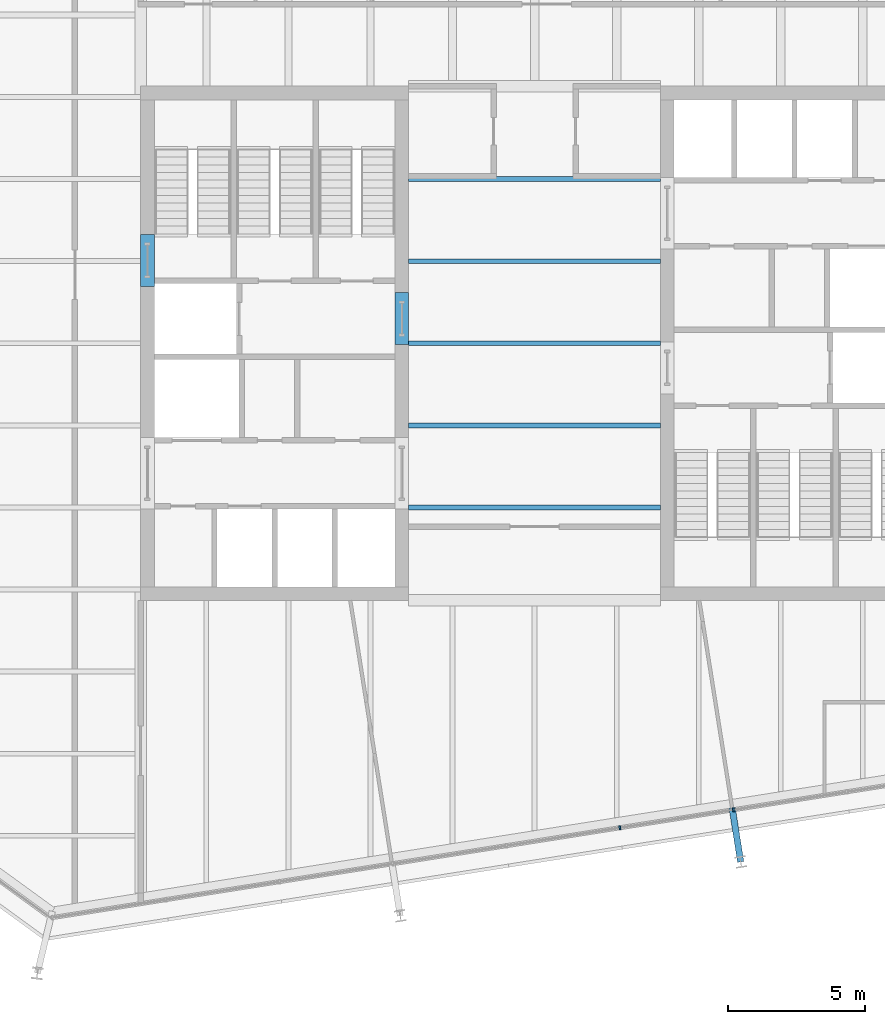
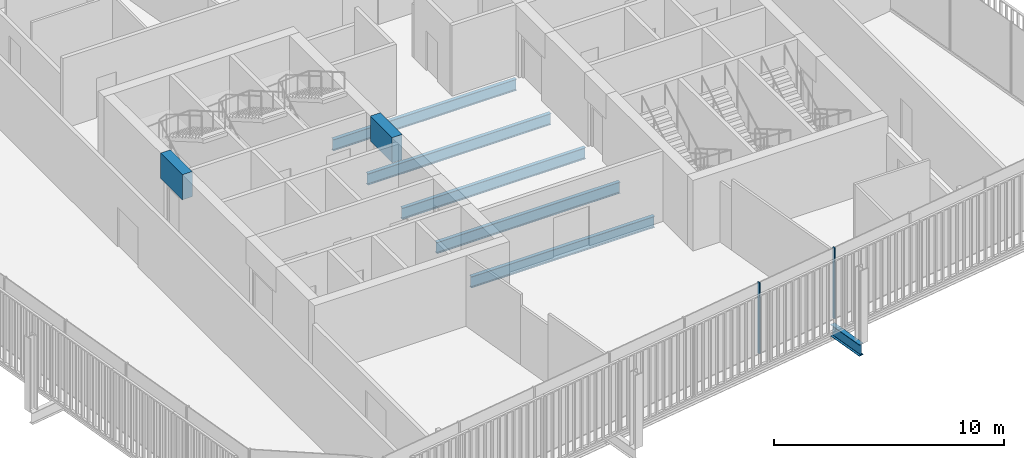
# One storey, part 7 of 20: 8 beams, 2 members, 1 element without a shape of its own.
"""IFC4 building model written with IfcOpenShell, lengths in metres."""

import ifcopenshell
import ifcopenshell.guid

model = None  # the IFC model being written
_history = None  # IfcOwnerHistory: only IFC2X3 demands one
_inside = {}  # id of a spatial element -> (the spatial element, [elements in it])
_under = {}  # id of a project, library or spatial element -> (it, [spatial elements below it])
_declared = {}  # id of a project -> (the project, [libraries it declares])
_typed = {}  # id of a type object -> (the type object, [elements of that type])
_made_of = {}  # id of a material, layer set ... -> (it, [elements and type objects made of it])


def new_model(schema):
    """Start an empty IFC model of exactly this schema.

    Asked for "IFC4X3", IfcOpenShell would pick the latest addendum, in which some entities
    have other attributes; the version numbers below select the first issue.
    IFC2X3 requires an IfcOwnerHistory on every rooted entity: one is made here for all.
    """
    global model, _history
    if schema == "IFC4X3":
        model = ifcopenshell.file(schema_version=(4, 3, 0, 0))
    else:
        model = ifcopenshell.file(schema=schema)
    _inside.clear()
    _under.clear()
    _declared.clear()
    _typed.clear()
    _made_of.clear()
    _history = None
    if model.schema == "IFC2X3":
        org = make("IfcOrganization", Name="unknown")
        user = make(
            "IfcPersonAndOrganization",
            ThePerson=make("IfcPerson", FamilyName="unknown"),
            TheOrganization=org,
        )
        app = make(
            "IfcApplication",
            ApplicationDeveloper=org,
            Version="unknown",
            ApplicationFullName="unknown",
            ApplicationIdentifier="unknown",
        )
        _history = make(
            "IfcOwnerHistory",
            OwningUser=user,
            OwningApplication=app,
            ChangeAction="ADDED",
            CreationDate=0,
        )
    return model


def make(cls, **values):
    """One entity of the class cls with the attributes given. An attribute that is None is left unset."""
    return model.create_entity(
        cls, **{name: value for name, value in values.items() if value is not None}
    )


def rooted(cls, **values):
    """An entity with a GlobalId (a new one), such as an element, a storey or a relation."""
    return make(cls, GlobalId=ifcopenshell.guid.new(), OwnerHistory=_history, **values)


def si_unit(unit_type, name, prefix=None):
    """IfcSIUnit, for example si_unit("LENGTHUNIT", "METRE", prefix="MILLI")."""
    return make("IfcSIUnit", UnitType=unit_type, Prefix=prefix, Name=name)


def assignment(units):
    """IfcUnitAssignment: the units of a project."""
    return None if units is None else make("IfcUnitAssignment", Units=units)


def point(xyz):
    """IfcCartesianPoint."""
    return None if xyz is None else make("IfcCartesianPoint", Coordinates=xyz)


def direction(xyz):
    """IfcDirection."""
    return None if xyz is None else make("IfcDirection", DirectionRatios=xyz)


def frame(location, z_axis=None, x_axis=None):
    """IfcAxis2Placement3D, a coordinate frame: its origin and axes. An axis left out is left unset."""
    return make(
        "IfcAxis2Placement3D",
        Location=point(location),
        Axis=direction(z_axis),
        RefDirection=direction(x_axis),
    )


def frame_2d(location, x_axis=None):
    """IfcAxis2Placement2D, a coordinate frame in the plane: its origin and x axis."""
    return make(
        "IfcAxis2Placement2D", Location=point(location), RefDirection=direction(x_axis)
    )


def origin():
    """The frame at (0, 0, 0) with its axes left unset."""
    return frame((0.0, 0.0, 0.0))


def origin_2d():
    """The frame at (0, 0) in the plane with its x axis left unset."""
    return frame_2d((0.0, 0.0))


def place(relative_to, where):
    """IfcLocalPlacement: puts the frame where relative to a parent placement (None: the world)."""
    return make(
        "IfcLocalPlacement", PlacementRelTo=relative_to, RelativePlacement=where
    )


def context(
    kind, dimensions, precision=None, world=None, true_north=None, identifier=None
):
    """IfcGeometricRepresentationContext, for example the 3D "Model" context."""
    return make(
        "IfcGeometricRepresentationContext",
        ContextIdentifier=identifier,
        ContextType=kind,
        CoordinateSpaceDimension=dimensions,
        Precision=precision,
        WorldCoordinateSystem=world,
        TrueNorth=true_north,
    )


def subcontext(parent, identifier, kind, view, scale=None):
    """IfcGeometricRepresentationSubContext, for example "Body" below "Model"."""
    return make(
        "IfcGeometricRepresentationSubContext",
        ContextIdentifier=identifier,
        ContextType=kind,
        ParentContext=parent,
        TargetScale=scale,
        TargetView=view,
    )


def project(units=None, contexts=None):
    """IfcProject with its units and contexts."""
    return rooted(
        "IfcProject",
        Name="project",
        RepresentationContexts=contexts,
        UnitsInContext=assignment(units),
    )


def spatial(cls, under=None, at=None, **own):
    """A site, building, storey or space (cls), placed at a placement, below another one or the project."""
    s = rooted(cls, ObjectPlacement=at, **own)
    if under is not None:
        _under.setdefault(under.id(), (under, []))[1].append(s)
    return s


def profile(cls, at=None, kind="AREA", **sizes):
    """A parametric profile (cls). Its sizes go by their IFC names, for example OverallWidth=200.0."""
    return make(cls, ProfileType=kind, Position=at, **sizes)


def rectangle(**sizes):
    """IfcRectangleProfileDef."""
    return profile("IfcRectangleProfileDef", **sizes)


def i_section(**sizes):
    """IfcIShapeProfileDef."""
    return profile("IfcIShapeProfileDef", **sizes)


def extrude(swept, where, along, depth):
    """IfcExtrudedAreaSolid: the profile swept, set in the frame where, extruded along a direction by depth."""
    return make(
        "IfcExtrudedAreaSolid",
        SweptArea=swept,
        Position=where,
        ExtrudedDirection=direction(along),
        Depth=depth,
    )


def shape(context_of_items, identifier, shape_type, items):
    """IfcShapeRepresentation: the items that make up one representation, for example the "Body"."""
    return make(
        "IfcShapeRepresentation",
        ContextOfItems=context_of_items,
        RepresentationIdentifier=identifier,
        RepresentationType=shape_type,
        Items=items,
    )


def material(Name=None, Category=None):
    """IfcMaterial."""
    return make("IfcMaterial", Name=Name, Category=Category)


def layer(
    of_material, thickness, ventilated=None, Name=None, Category=None, Priority=None
):
    """IfcMaterialLayer: one layer of a wall or slab, of a material (None: an air gap)."""
    return make(
        "IfcMaterialLayer",
        Material=of_material,
        LayerThickness=thickness,
        IsVentilated=ventilated,
        Name=Name,
        Category=Category,
        Priority=Priority,
    )


def layer_set(layers, Name=None):
    """IfcMaterialLayerSet."""
    return make("IfcMaterialLayerSet", MaterialLayers=layers, LayerSetName=Name)


def material_profile(
    of_material, cross_section, Name=None, Category=None, Priority=None
):
    """IfcMaterialProfile: a cross section and its material."""
    return make(
        "IfcMaterialProfile",
        Name=Name,
        Material=of_material,
        Profile=cross_section,
        Priority=Priority,
        Category=Category,
    )


def profile_set(profiles, Name=None, composite=None):
    """IfcMaterialProfileSet."""
    return make(
        "IfcMaterialProfileSet",
        Name=Name,
        MaterialProfiles=profiles,
        CompositeProfile=composite,
    )


def made_of(thing, what):
    """Note that an element or type object is made of a material, layer set ...; save() writes the relation."""
    if what is not None:
        _made_of.setdefault(what.id(), (what, []))[1].append(thing)
    return thing


def type_object(cls, material=None, **own):
    """A type object (cls), such as IfcWallType, which elements share."""
    return made_of(rooted(cls, **own), material)


def element(
    cls,
    number,
    at=None,
    inside=None,
    cuts=None,
    type_object=None,
    material=None,
    context=None,
    identifier="Body",
    shape_type=None,
    held_by="IfcProductDefinitionShape",
    body=None,
    shapes=None,
    **own,
):
    """One element of the class cls, such as IfcWall. Its Tag is "e" and its number.

    at: its placement. inside: the storey or other place that contains it. cuts: it is an
    opening in that element (IfcRelVoidsElement). A single representation is given by context,
    identifier, shape_type and body (its items); several are given by shapes. held_by: the class
    of the entity that holds the representations. save() writes the other relations.
    """
    e = rooted(cls, Tag="e%d" % number, ObjectPlacement=at, **own)
    if body is not None:
        shapes = [shape(context, identifier, shape_type, body)]
    if shapes is not None:
        e.Representation = make(held_by, Representations=shapes)
    if inside is not None:
        _inside.setdefault(inside.id(), (inside, []))[1].append(e)
    if cuts is not None:
        rooted(
            "IfcRelVoidsElement", RelatingBuildingElement=cuts, RelatedOpeningElement=e
        )
    if type_object is not None:
        _typed.setdefault(type_object.id(), (type_object, []))[1].append(e)
    return made_of(e, material)


def aggregate(whole, parts):
    """IfcRelAggregates: a whole, such as a stair, and the parts it consists of."""
    return rooted("IfcRelAggregates", RelatingObject=whole, RelatedObjects=parts)


def save(model, path):
    """Write the relations noted so far, then the file.

    IfcRelAggregates (storeys below a building ...), IfcRelContainedInSpatialStructure (elements
    in a storey), IfcRelDefinesByType, IfcRelAssociatesMaterial and IfcRelDeclares: one each for
    every whole, place, type object, material and project.
    """
    for whole, parts in _under.values():
        aggregate(whole, parts)
    for where, things in _inside.values():
        rooted(
            "IfcRelContainedInSpatialStructure",
            RelatedElements=things,
            RelatingStructure=where,
        )
    for kind, things in _typed.values():
        rooted("IfcRelDefinesByType", RelatedObjects=things, RelatingType=kind)
    for what, things in _made_of.values():
        rooted("IfcRelAssociatesMaterial", RelatedObjects=things, RelatingMaterial=what)
    for by, libraries in _declared.values():
        rooted("IfcRelDeclares", RelatingContext=by, RelatedDefinitions=libraries)
    model.write(path)


model = new_model("IFC4")

# Units and contexts
model_context = context("Model", 3, precision=1e-05, world=origin(), true_north=direction((0.0, 1.0)))
body_context = subcontext(model_context, "Body", "Model", "MODEL_VIEW")
ifc_project = project(units=[si_unit("LENGTHUNIT", "METRE"), si_unit("AREAUNIT", "SQUARE_METRE"), si_unit("VOLUMEUNIT", "CUBIC_METRE"), si_unit("PLANEANGLEUNIT", "RADIAN"), si_unit("MASSUNIT", "GRAM", prefix="KILO")], contexts=[model_context])

# Site, building, storey
site_placement = place(None, origin())
site = spatial("IfcSite", under=ifc_project, at=site_placement, CompositionType="ELEMENT")
building_placement = place(site_placement, origin())
building = spatial("IfcBuilding", under=site, at=building_placement, Name="Millrace Tower", CompositionType="ELEMENT")
storey_placement = place(building_placement, frame((0.0, 0.0, 232.0)))
storey = spatial("IfcBuildingStorey", under=building, at=storey_placement, Name="L53", CompositionType="ELEMENT", Elevation=232.0)

# Curtain wall, members
ifc_material_1 = material(Name="Aluminium and glass", Category="aluminium")
ifc_layer = layer(ifc_material_1, 0.14990234375)
ifc_layer_set = layer_set([ifc_layer], Name="Aluminium and glass")
curtain_wall_type = type_object("IfcCurtainWallType", Name="CW-1 office vision curtain wall", PredefinedType="NOTDEFINED", material=ifc_layer_set)
curtain_wall_placement = place(storey_placement, origin())
curtain_wall = element("IfcCurtainWall", 1, at=curtain_wall_placement, inside=storey, type_object=curtain_wall_type, Name="Curtain wall D-F02 L53", PredefinedType="NOTDEFINED")
ifc_material_2 = material(Name="Aluminium", Category="aluminium")
ifc_material_profile_1 = material_profile(ifc_material_2, rectangle(XDim=0.06494140625, YDim=0.14990234375, at=origin_2d()))
ifc_profile_set_1 = profile_set([ifc_material_profile_1], Name="Aluminium")
member_type = type_object("IfcMemberType", Name="CW-1 office vision curtain wall mullion", PredefinedType="MULLION", material=ifc_profile_set_1)
member_1_placement = place(storey_placement, frame((3.115966796875, -17.707275390625, 0.139892578125), z_axis=(0.0, 0.0, 1.0), x_axis=(0.987688339511, 0.156434471884, 0.0)))
member_1 = element("IfcMember", 2, at=member_1_placement, type_object=member_type, Name="CW1 mullion D-F02.6", PredefinedType="MULLION", context=body_context, shape_type="SweptSolid", body=[
    extrude(rectangle(XDim=0.06494140625, YDim=0.14990234375, at=origin_2d()), origin(), (0.0, 0.0, 1.0), 3.760009765625),
])
member_2_placement = place(storey_placement, frame((7.26416015625, -17.05029296875, 0.139892578125), z_axis=(0.0, 0.0, 1.0), x_axis=(0.987688339511, 0.156434471884, 0.0)))
member_2 = element("IfcMember", 3, at=member_2_placement, type_object=member_type, Name="CW1 mullion D-F02.7", PredefinedType="MULLION", context=body_context, shape_type="SweptSolid", body=[
    extrude(rectangle(XDim=0.06494140625, YDim=0.14990234375, at=origin_2d()), origin(), (0.0, 0.0, 1.0), 3.760009765625),
])
aggregate(curtain_wall, [member_1, member_2])

# Beams
ifc_material_3 = material(Name="Concrete C60", Category="concrete")
ifc_material_profile_2 = material_profile(ifc_material_3, rectangle(XDim=0.5, YDim=1.340087890625, at=origin_2d()))
ifc_profile_set_2 = profile_set([ifc_material_profile_2], Name="Concrete C60")
beam_type_1 = type_object("IfcBeamType", Name="Coupling beam 500 x 1340 Concrete C60, 1300 opening", PredefinedType="BEAM", material=ifc_profile_set_2)
beam_1_placement = place(storey_placement, frame((-14.14990234375, 2.080078125, 3.070068359375), z_axis=(0.0, 1.0, 0.0), x_axis=(-1.0, 0.0, 0.0)))
element("IfcBeam", 4, at=beam_1_placement, inside=storey, type_object=beam_type_1, Name="Coupling beam W L53", PredefinedType="BEAM", context=body_context, shape_type="SweptSolid", body=[
    extrude(rectangle(XDim=0.5, YDim=1.340087890625, at=origin_2d()), origin(), (0.0, 0.0, 1.0), 1.89990234375),
])
beam_2_placement = place(storey_placement, frame((-4.85009765625, -0.050048828125, 3.070068359375), z_axis=(0.0, 1.0, 0.0), x_axis=(-1.0, 0.0, 0.0)))
element("IfcBeam", 5, at=beam_2_placement, inside=storey, type_object=beam_type_1, Name="Coupling beam W L53", PredefinedType="BEAM", context=body_context, shape_type="SweptSolid", body=[
    extrude(rectangle(XDim=0.5, YDim=1.340087890625, at=origin_2d()), origin(), (0.0, 0.0, 1.0), 1.900146484375),
])
ifc_material_4 = material(Name="Steel ASTM A992 Grade 50", Category="steel")
ifc_material_profile_3 = material_profile(ifc_material_4, i_section(OverallWidth=0.177978515625, OverallDepth=0.599365234375, WebThickness=0.010009765625, FlangeThickness=0.012939453125, FilletRadius=0.012939453125, at=origin_2d()))
ifc_profile_set_3 = profile_set([ifc_material_profile_3], Name="Steel ASTM A992 Grade 50")
beam_type_2 = type_object("IfcBeamType", Name="Floor beam W24x55", PredefinedType="JOIST", material=ifc_profile_set_3)
for number, where, z_axis, x_axis, name in (
    (6, (-4.60009765625, -6.0, -0.459716796875), (1.0, 0.0, 0.0), (0.0, 1.0, 0.0), "BM-D-L53-S1-S008"),
    (7, (-4.60009765625, -3.0, -0.459716796875), (1.0, 0.0, 0.0), (0.0, 1.0, 0.0), "BM-D-L53-S1-S011"),
    (8, (-4.60009765625, 0.0, -0.459716796875), (1.0, 0.0, 0.0), (0.0, 1.0, 0.0), "BM-D-L53-S1-S014"),
    (9, (-4.60009765625, 3.0, -0.459716796875), (1.0, 0.0, 0.0), (0.0, 1.0, 0.0), "BM-D-L53-S1-S017"),
    (10, (-4.60009765625, 6.0, -0.459716796875), (1.0, 0.0, 0.0), (0.0, 1.0, 0.0), "BM-D-L53-S1-S020"),
):
    element("IfcBeam", number, at=place(storey_placement, frame(where, z_axis=z_axis, x_axis=x_axis)), inside=storey, type_object=beam_type_2, Name=name, PredefinedType="JOIST", context=body_context, shape_type="SweptSolid", body=[
        extrude(i_section(OverallWidth=0.177978515625, OverallDepth=0.599365234375, WebThickness=0.010009765625, FlangeThickness=0.012939453125, FilletRadius=0.012939453125, at=origin_2d()), origin(), (0.0, 0.0, 1.0), 9.2001953125),
    ])
ifc_material_5 = material(Name="Steel ASTM A992 Grade 50", Category="steel")
ifc_material_profile_4 = material_profile(ifc_material_5, i_section(OverallWidth=0.23046875, OverallDepth=0.6171875, WebThickness=0.01318359375, FlangeThickness=0.022216796875, FilletRadius=0.012939453125, at=origin_2d()))
ifc_profile_set_4 = profile_set([ifc_material_profile_4], Name="Steel ASTM A992 Grade 50")
beam_type_3 = type_object("IfcBeamType", Name="Link beam W24x94", PredefinedType="BEAM", material=ifc_profile_set_4)
beam_3_placement = place(storey_placement, frame((7.220458984375, -16.981201171875, -0.468505859375), z_axis=(0.156357438014, -0.987700537399, 0.0), x_axis=(0.987700537399, 0.156357438014, 0.0)))
element("IfcBeam", 11, at=beam_3_placement, inside=storey, type_object=beam_type_3, Name="LNK-D-L53-S1-14", PredefinedType="BEAM", context=body_context, shape_type="SweptSolid", body=[
    extrude(i_section(OverallWidth=0.23046875, OverallDepth=0.6171875, WebThickness=0.01318359375, FlangeThickness=0.022216796875, FilletRadius=0.012939453125, at=origin_2d()), origin(), (0.0, 0.0, 1.0), 2.000244140625),
])

save(model, "model.ifc")
